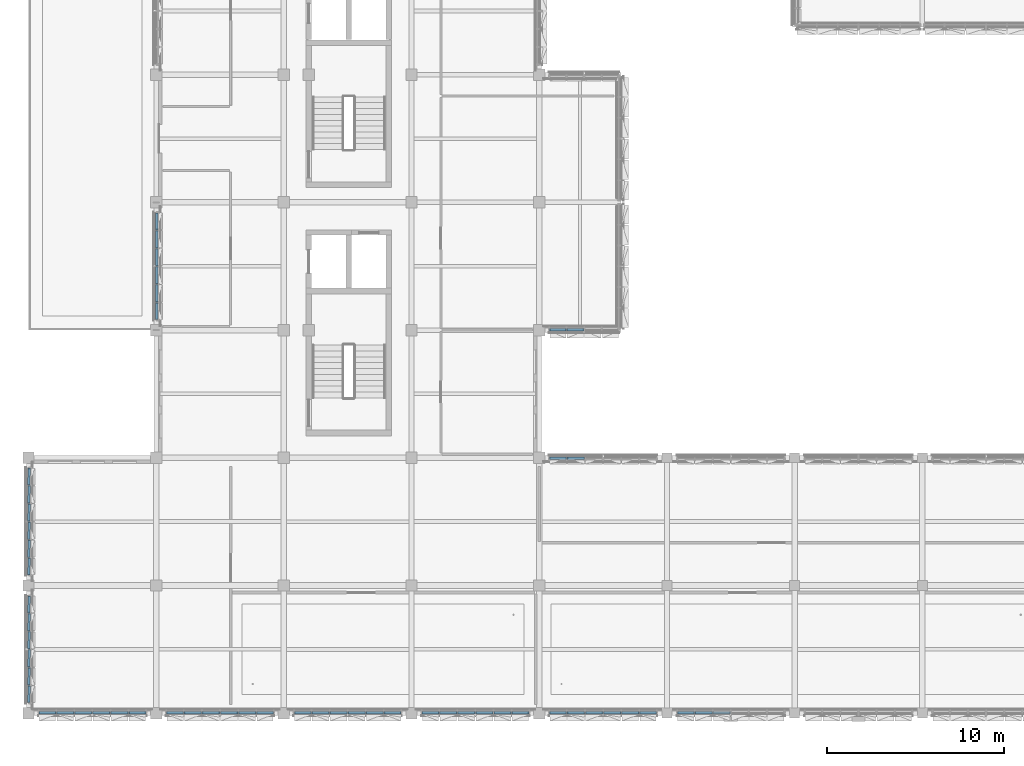
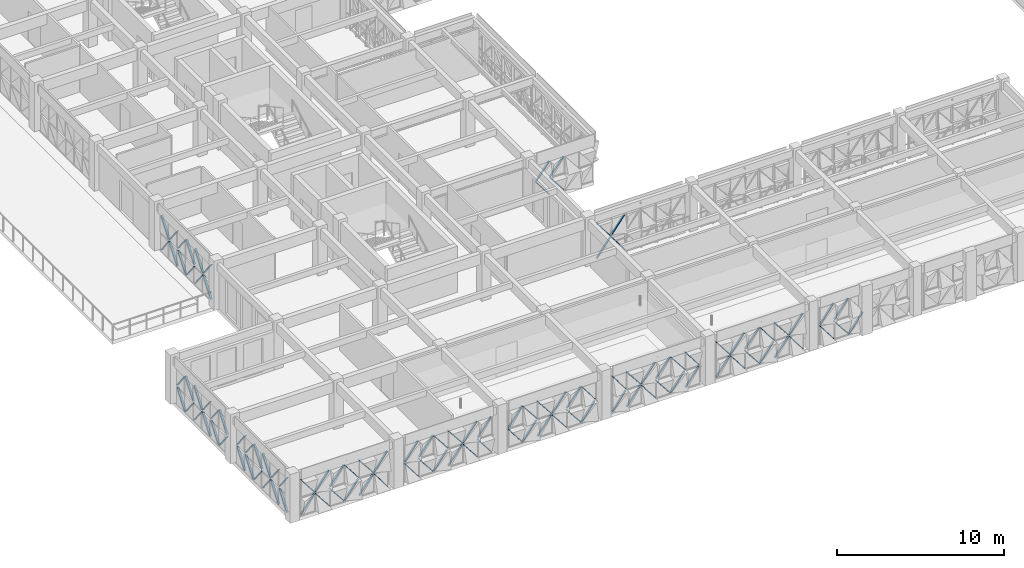
# One storey, part 50 of 85: 109 discrete accessories.
"""IFC4 building model written with IfcOpenShell, lengths in metres."""

from ifc_helpers import new_model, si_unit, direction, frame, origin, origin_2d, place, context, subcontext, project, spatial, rectangle, extrude, material, type_object, element, save


model = new_model("IFC4")

# Units and contexts
model_context = context("Model", 3, precision=1e-05, world=origin(), true_north=direction((0.0, 1.0)))
body_context = subcontext(model_context, "Body", "Model", "MODEL_VIEW")
ifc_project = project(units=[si_unit("LENGTHUNIT", "METRE"), si_unit("AREAUNIT", "SQUARE_METRE"), si_unit("VOLUMEUNIT", "CUBIC_METRE"), si_unit("PLANEANGLEUNIT", "RADIAN"), si_unit("MASSUNIT", "GRAM", prefix="KILO")], contexts=[model_context])

# Site, building, storey
site_placement = place(None, origin())
site = spatial("IfcSite", under=ifc_project, at=site_placement, CompositionType="ELEMENT")
building_placement = place(site_placement, origin())
building = spatial("IfcBuilding", under=site, at=building_placement, Name="Alvorim Cloister Faculty of Sciences", CompositionType="ELEMENT")
storey_placement = place(building_placement, frame((0.0, 0.0, 8.550048828125)))
storey = spatial("IfcBuildingStorey", under=building, at=storey_placement, Name="L02", CompositionType="ELEMENT", Elevation=8.550048828125)

# Discrete accessories
ifc_material = material(Name="Aluminium Alloy 6063-T6", Category="aluminium")
discrete_accessory_type = type_object("IfcDiscreteAccessoryType", Name="ACC-DIAG-BAR", PredefinedType="BRACKET", material=ifc_material)
for number, where, z_axis, x_axis, name in (
    (1, (7.222412109375, 22.205078125, 0.139892578125), (0.006561428426, 0.604611624251, 0.796493397008), (-0.999941118963, 0.010851663811, 0.0), "Diagonal Cassette Glazing Bracket ACC-00487"),
    (2, (7.222412109375, 22.205078125, 2.7099609375), (0.006561428426, 0.604611624251, -0.796493397008), (-0.999941118963, 0.010851663811, 0.0), "Diagonal Cassette Glazing Bracket ACC-00488"),
):
    element("IfcDiscreteAccessory", number, at=place(storey_placement, frame(where, z_axis=z_axis, x_axis=x_axis)), inside=storey, type_object=discrete_accessory_type, Name=name, PredefinedType="BRACKET", context=body_context, shape_type="SweptSolid", body=[
        extrude(rectangle(XDim=0.139892578125, YDim=0.044921875, at=origin_2d()), origin(), (0.0, 0.0, 1.0), 1.525634765625),
    ])
for number, where, z_axis, x_axis, name in (
    (3, (7.222412109375, 23.1923828125, 1.35498046875), (0.006476523147, 0.617955086572, -0.786186724404), (-0.999945083323, 0.010479997039, 0.0), "Diagonal Cassette Glazing Bracket ACC-00489"),
    (4, (7.222412109375, 23.1923828125, 1.494873046875), (0.006476523147, 0.617955086572, 0.786186724404), (-0.999945083323, 0.010479997039, 0.0), "Diagonal Cassette Glazing Bracket ACC-00490"),
    (5, (7.222412109375, 24.21240234375, 1.35498046875), (0.006476523147, 0.617955086572, -0.786186724404), (-0.999945083323, 0.010479997039, 0.0), "Diagonal Cassette Glazing Bracket ACC-00491"),
    (6, (7.222412109375, 24.21240234375, 1.494873046875), (0.006476523147, 0.617955086572, 0.786186724404), (-0.999945083323, 0.010479997039, 0.0), "Diagonal Cassette Glazing Bracket ACC-00492"),
    (7, (7.222412109375, 25.232421875, 0.139892578125), (0.006476523147, 0.617955086572, 0.786186724404), (-0.999945083323, 0.010479997039, 0.0), "Diagonal Cassette Glazing Bracket ACC-00493"),
    (8, (7.222412109375, 25.232421875, 2.7099609375), (0.006476523147, 0.617955086572, -0.786186724404), (-0.999945083323, 0.010479997039, 0.0), "Diagonal Cassette Glazing Bracket ACC-00494"),
    (9, (7.222412109375, 26.25244140625, 0.139892578125), (0.006476523147, 0.617955086572, 0.786186724404), (-0.999945083323, 0.010479997039, 0.0), "Diagonal Cassette Glazing Bracket ACC-00495"),
    (10, (7.222412109375, 26.25244140625, 2.7099609375), (0.006476523147, 0.617955086572, -0.786186724404), (-0.999945083323, 0.010479997039, 0.0), "Diagonal Cassette Glazing Bracket ACC-00496"),
):
    element("IfcDiscreteAccessory", number, at=place(storey_placement, frame(where, z_axis=z_axis, x_axis=x_axis)), inside=storey, type_object=discrete_accessory_type, Name=name, PredefinedType="BRACKET", context=body_context, shape_type="SweptSolid", body=[
        extrude(rectangle(XDim=0.139892578125, YDim=0.044921875, at=origin_2d()), origin(), (0.0, 0.0, 1.0), 1.545654296875),
    ])
for number, where, z_axis, x_axis, name in (
    (11, (7.222412109375, 27.2724609375, 1.35498046875), (0.006560793558, 0.604713142785, -0.796416330151), (-0.999941150118, 0.010848792579, 0.0), "Diagonal Cassette Glazing Bracket ACC-00497"),
    (12, (7.222412109375, 27.2724609375, 1.494873046875), (0.006560793558, 0.604713142785, 0.796416330151), (-0.999941150118, 0.010848792579, 0.0), "Diagonal Cassette Glazing Bracket ACC-00498"),
):
    element("IfcDiscreteAccessory", number, at=place(storey_placement, frame(where, z_axis=z_axis, x_axis=x_axis)), inside=storey, type_object=discrete_accessory_type, Name=name, PredefinedType="BRACKET", context=body_context, shape_type="SweptSolid", body=[
        extrude(rectangle(XDim=0.139892578125, YDim=0.044921875, at=origin_2d()), origin(), (0.0, 0.0, 1.0), 1.525634765625),
    ])
for number, where, z_axis, x_axis, name in (
    (13, (29.405029296875, 21.62255859375, 1.282958984375), (0.617524934404, 0.006887519671, -0.78652114877), (-0.011152733966, 0.999937806329, 0.0), "Diagonal Cassette Glazing Bracket ACC-00766"),
    (14, (29.405029296875, 21.62255859375, 1.4228515625), (0.617524934404, 0.006887519671, 0.78652114877), (-0.011152733966, 0.999937806329, 0.0), "Diagonal Cassette Glazing Bracket ACC-00767"),
):
    element("IfcDiscreteAccessory", number, at=place(storey_placement, frame(where, z_axis=z_axis, x_axis=x_axis)), inside=storey, type_object=discrete_accessory_type, Name=name, PredefinedType="BRACKET", context=body_context, shape_type="SweptSolid", body=[
        extrude(rectangle(XDim=0.139892578125, YDim=0.044921875, at=origin_2d()), origin(), (0.0, 0.0, 1.0), 1.453369140625),
    ])
for number, where, z_axis, x_axis, name in (
    (15, (30.367431640625, 21.62255859375, 1.282958984375), (0.631164140853, 0.006792055059, -0.775619555768), (-0.010760531826, 0.999942103801, 0.0), "Diagonal Cassette Glazing Bracket ACC-00768"),
    (16, (30.367431640625, 21.62255859375, 1.4228515625), (0.631164140853, 0.006792055059, 0.775619555768), (-0.010760531826, 0.999942103801, 0.0), "Diagonal Cassette Glazing Bracket ACC-00769"),
):
    element("IfcDiscreteAccessory", number, at=place(storey_placement, frame(where, z_axis=z_axis, x_axis=x_axis)), inside=storey, type_object=discrete_accessory_type, Name=name, PredefinedType="BRACKET", context=body_context, shape_type="SweptSolid", body=[
        extrude(rectangle(XDim=0.139892578125, YDim=0.044921875, at=origin_2d()), origin(), (0.0, 0.0, 1.0), 1.4736328125),
    ])
for number, where, z_axis, x_axis, name in (
    (17, (29.405029296875, 14.37744140625, 0.139892578125), (0.604611624251, -0.006561428426, 0.796493397008), (0.010851663811, 0.999941118963, 0.0), "Diagonal Cassette Glazing Bracket ACC-00775"),
    (18, (29.405029296875, 14.37744140625, 2.7099609375), (0.604611624251, -0.006561428426, -0.796493397008), (0.010851663811, 0.999941118963, 0.0), "Diagonal Cassette Glazing Bracket ACC-00776"),
):
    element("IfcDiscreteAccessory", number, at=place(storey_placement, frame(where, z_axis=z_axis, x_axis=x_axis)), inside=storey, type_object=discrete_accessory_type, Name=name, PredefinedType="BRACKET", context=body_context, shape_type="SweptSolid", body=[
        extrude(rectangle(XDim=0.139892578125, YDim=0.044921875, at=origin_2d()), origin(), (0.0, 0.0, 1.0), 1.525634765625),
    ])
for number, where, z_axis, x_axis, name in (
    (19, (30.392578125, 14.37744140625, 1.35498046875), (0.61785742976, -0.006477155362, -0.786263469168), (0.010482676365, 0.999945055239, 0.0), "Diagonal Cassette Glazing Bracket ACC-00777"),
    (20, (30.392578125, 14.37744140625, 1.494873046875), (0.61785742976, -0.006477155362, 0.786263469168), (0.010482676365, 0.999945055239, 0.0), "Diagonal Cassette Glazing Bracket ACC-00778"),
):
    element("IfcDiscreteAccessory", number, at=place(storey_placement, frame(where, z_axis=z_axis, x_axis=x_axis)), inside=storey, type_object=discrete_accessory_type, Name=name, PredefinedType="BRACKET", context=body_context, shape_type="SweptSolid", body=[
        extrude(rectangle(XDim=0.139892578125, YDim=0.044921875, at=origin_2d()), origin(), (0.0, 0.0, 1.0), 1.54541015625),
    ])
for number, where, z_axis, x_axis, name in (
    (21, (36.60498046875, 0.0224609375, 1.35498046875), (0.604713142785, 0.006560793558, -0.796416330151), (-0.010848792579, 0.999941150118, 0.0), "Diagonal Cassette Glazing Bracket ACC-00866"),
    (22, (36.60498046875, 0.0224609375, 1.494873046875), (0.604713142785, 0.006560793558, 0.796416330151), (-0.010848792579, 0.999941150118, 0.0), "Diagonal Cassette Glazing Bracket ACC-00867"),
):
    element("IfcDiscreteAccessory", number, at=place(storey_placement, frame(where, z_axis=z_axis, x_axis=x_axis)), inside=storey, type_object=discrete_accessory_type, Name=name, PredefinedType="BRACKET", context=body_context, shape_type="SweptSolid", body=[
        extrude(rectangle(XDim=0.139892578125, YDim=0.044921875, at=origin_2d()), origin(), (0.0, 0.0, 1.0), 1.525634765625),
    ])
for number, where, z_axis, x_axis, name in (
    (23, (37.592529296875, 0.0224609375, 1.35498046875), (0.617955086572, 0.006476523147, -0.786186724404), (-0.010479997039, 0.999945083323, 0.0), "Diagonal Cassette Glazing Bracket ACC-00868"),
    (24, (37.592529296875, 0.0224609375, 1.494873046875), (0.617955086572, 0.006476523147, 0.786186724404), (-0.010479997039, 0.999945083323, 0.0), "Diagonal Cassette Glazing Bracket ACC-00869"),
):
    element("IfcDiscreteAccessory", number, at=place(storey_placement, frame(where, z_axis=z_axis, x_axis=x_axis)), inside=storey, type_object=discrete_accessory_type, Name=name, PredefinedType="BRACKET", context=body_context, shape_type="SweptSolid", body=[
        extrude(rectangle(XDim=0.139892578125, YDim=0.044921875, at=origin_2d()), origin(), (0.0, 0.0, 1.0), 1.545654296875),
    ])
discrete_accessory_placement = place(storey_placement, frame((38.612548828125, 0.0224609375, 0.139892578125), z_axis=(0.61785742976, 0.006477155362, 0.786263469168), x_axis=(-0.010482676365, 0.999945055239, 0.0)))
element("IfcDiscreteAccessory", 25, at=discrete_accessory_placement, inside=storey, type_object=discrete_accessory_type, Name="Diagonal Cassette Glazing Bracket ACC-00870", PredefinedType="BRACKET", context=body_context, shape_type="SweptSolid", body=[
    extrude(rectangle(XDim=0.139892578125, YDim=0.044921875, at=origin_2d()), origin(), (0.0, 0.0, 1.0), 1.54541015625),
])
for number, where, z_axis, x_axis, name in (
    (26, (29.405029296875, 0.0224609375, 0.139892578125), (0.604611624251, 0.006561428426, 0.796493397008), (-0.010851663811, 0.999941118963, 0.0), "Diagonal Cassette Glazing Bracket ACC-00879"),
    (27, (29.405029296875, 0.0224609375, 2.7099609375), (0.604611624251, 0.006561428426, -0.796493397008), (-0.010851663811, 0.999941118963, 0.0), "Diagonal Cassette Glazing Bracket ACC-00880"),
):
    element("IfcDiscreteAccessory", number, at=place(storey_placement, frame(where, z_axis=z_axis, x_axis=x_axis)), inside=storey, type_object=discrete_accessory_type, Name=name, PredefinedType="BRACKET", context=body_context, shape_type="SweptSolid", body=[
        extrude(rectangle(XDim=0.139892578125, YDim=0.044921875, at=origin_2d()), origin(), (0.0, 0.0, 1.0), 1.525634765625),
    ])
for number, where, z_axis, x_axis, name in (
    (28, (30.392578125, 0.0224609375, 1.35498046875), (0.61785742976, 0.006477155362, -0.786263469168), (-0.010482676365, 0.999945055239, 0.0), "Diagonal Cassette Glazing Bracket ACC-00881"),
    (29, (30.392578125, 0.0224609375, 1.494873046875), (0.61785742976, 0.006477155362, 0.786263469168), (-0.010482676365, 0.999945055239, 0.0), "Diagonal Cassette Glazing Bracket ACC-00882"),
    (30, (31.41259765625, 0.0224609375, 1.35498046875), (0.61785742976, 0.006477155362, -0.786263469168), (-0.010482676365, 0.999945055239, 0.0), "Diagonal Cassette Glazing Bracket ACC-00883"),
    (31, (31.41259765625, 0.0224609375, 1.494873046875), (0.61785742976, 0.006477155362, 0.786263469168), (-0.010482676365, 0.999945055239, 0.0), "Diagonal Cassette Glazing Bracket ACC-00884"),
    (32, (32.4326171875, 0.0224609375, 0.139892578125), (0.61785742976, 0.006477155362, 0.786263469168), (-0.010482676365, 0.999945055239, 0.0), "Diagonal Cassette Glazing Bracket ACC-00885"),
    (33, (32.4326171875, 0.0224609375, 2.7099609375), (0.61785742976, 0.006477155362, -0.786263469168), (-0.010482676365, 0.999945055239, 0.0), "Diagonal Cassette Glazing Bracket ACC-00886"),
):
    element("IfcDiscreteAccessory", number, at=place(storey_placement, frame(where, z_axis=z_axis, x_axis=x_axis)), inside=storey, type_object=discrete_accessory_type, Name=name, PredefinedType="BRACKET", context=body_context, shape_type="SweptSolid", body=[
        extrude(rectangle(XDim=0.139892578125, YDim=0.044921875, at=origin_2d()), origin(), (0.0, 0.0, 1.0), 1.54541015625),
    ])
for number, where, z_axis, x_axis, name in (
    (34, (33.452392578125, 0.0224609375, 0.139892578125), (0.617955086572, 0.006476523147, 0.786186724404), (-0.010479997039, 0.999945083323, 0.0), "Diagonal Cassette Glazing Bracket ACC-00887"),
    (35, (33.452392578125, 0.0224609375, 2.7099609375), (0.617955086572, 0.006476523147, -0.786186724404), (-0.010479997039, 0.999945083323, 0.0), "Diagonal Cassette Glazing Bracket ACC-00888"),
):
    element("IfcDiscreteAccessory", number, at=place(storey_placement, frame(where, z_axis=z_axis, x_axis=x_axis)), inside=storey, type_object=discrete_accessory_type, Name=name, PredefinedType="BRACKET", context=body_context, shape_type="SweptSolid", body=[
        extrude(rectangle(XDim=0.139892578125, YDim=0.044921875, at=origin_2d()), origin(), (0.0, 0.0, 1.0), 1.545654296875),
    ])
for number, where, z_axis, x_axis, name in (
    (36, (34.472412109375, 0.0224609375, 1.35498046875), (0.604713142785, 0.006560793558, -0.796416330151), (-0.010848792579, 0.999941150118, 0.0), "Diagonal Cassette Glazing Bracket ACC-00889"),
    (37, (34.472412109375, 0.0224609375, 1.494873046875), (0.604713142785, 0.006560793558, 0.796416330151), (-0.010848792579, 0.999941150118, 0.0), "Diagonal Cassette Glazing Bracket ACC-00890"),
    (38, (22.205078125, 0.0224609375, 0.139892578125), (0.604611624251, 0.006561428426, 0.796493397008), (-0.010851663811, 0.999941118963, 0.0), "Diagonal Cassette Glazing Bracket ACC-00892"),
    (39, (22.205078125, 0.0224609375, 2.7099609375), (0.604611624251, 0.006561428426, -0.796493397008), (-0.010851663811, 0.999941118963, 0.0), "Diagonal Cassette Glazing Bracket ACC-00893"),
):
    element("IfcDiscreteAccessory", number, at=place(storey_placement, frame(where, z_axis=z_axis, x_axis=x_axis)), inside=storey, type_object=discrete_accessory_type, Name=name, PredefinedType="BRACKET", context=body_context, shape_type="SweptSolid", body=[
        extrude(rectangle(XDim=0.139892578125, YDim=0.044921875, at=origin_2d()), origin(), (0.0, 0.0, 1.0), 1.525634765625),
    ])
for number, where, z_axis, x_axis, name in (
    (40, (23.1923828125, 0.0224609375, 0.139892578125), (0.617955086572, 0.006476523147, 0.786186724404), (-0.010479997039, 0.999945083323, 0.0), "Diagonal Cassette Glazing Bracket ACC-00894"),
    (41, (23.1923828125, 0.0224609375, 2.7099609375), (0.617955086572, 0.006476523147, -0.786186724404), (-0.010479997039, 0.999945083323, 0.0), "Diagonal Cassette Glazing Bracket ACC-00895"),
    (42, (24.21240234375, 0.0224609375, 1.35498046875), (0.617955086572, 0.006476523147, -0.786186724404), (-0.010479997039, 0.999945083323, 0.0), "Diagonal Cassette Glazing Bracket ACC-00896"),
    (43, (24.21240234375, 0.0224609375, 1.494873046875), (0.617955086572, 0.006476523147, 0.786186724404), (-0.010479997039, 0.999945083323, 0.0), "Diagonal Cassette Glazing Bracket ACC-00897"),
    (44, (25.232421875, 0.0224609375, 1.35498046875), (0.617955086572, 0.006476523147, -0.786186724404), (-0.010479997039, 0.999945083323, 0.0), "Diagonal Cassette Glazing Bracket ACC-00898"),
    (45, (25.232421875, 0.0224609375, 1.494873046875), (0.617955086572, 0.006476523147, 0.786186724404), (-0.010479997039, 0.999945083323, 0.0), "Diagonal Cassette Glazing Bracket ACC-00899"),
    (46, (26.25244140625, 0.0224609375, 0.139892578125), (0.617955086572, 0.006476523147, 0.786186724404), (-0.010479997039, 0.999945083323, 0.0), "Diagonal Cassette Glazing Bracket ACC-00900"),
    (47, (26.25244140625, 0.0224609375, 2.7099609375), (0.617955086572, 0.006476523147, -0.786186724404), (-0.010479997039, 0.999945083323, 0.0), "Diagonal Cassette Glazing Bracket ACC-00901"),
):
    element("IfcDiscreteAccessory", number, at=place(storey_placement, frame(where, z_axis=z_axis, x_axis=x_axis)), inside=storey, type_object=discrete_accessory_type, Name=name, PredefinedType="BRACKET", context=body_context, shape_type="SweptSolid", body=[
        extrude(rectangle(XDim=0.139892578125, YDim=0.044921875, at=origin_2d()), origin(), (0.0, 0.0, 1.0), 1.545654296875),
    ])
for number, where, z_axis, x_axis, name in (
    (48, (27.2724609375, 0.0224609375, 0.139892578125), (0.604713142785, 0.006560793558, 0.796416330151), (-0.010848792579, 0.999941150118, 0.0), "Diagonal Cassette Glazing Bracket ACC-00902"),
    (49, (27.2724609375, 0.0224609375, 2.7099609375), (0.604713142785, 0.006560793558, -0.796416330151), (-0.010848792579, 0.999941150118, 0.0), "Diagonal Cassette Glazing Bracket ACC-00903"),
    (50, (15.0048828125, 0.0224609375, 1.35498046875), (0.604713142785, 0.006560793558, -0.796416330151), (-0.010848792579, 0.999941150118, 0.0), "Diagonal Cassette Glazing Bracket ACC-00905"),
    (51, (15.0048828125, 0.0224609375, 1.494873046875), (0.604713142785, 0.006560793558, 0.796416330151), (-0.010848792579, 0.999941150118, 0.0), "Diagonal Cassette Glazing Bracket ACC-00906"),
):
    element("IfcDiscreteAccessory", number, at=place(storey_placement, frame(where, z_axis=z_axis, x_axis=x_axis)), inside=storey, type_object=discrete_accessory_type, Name=name, PredefinedType="BRACKET", context=body_context, shape_type="SweptSolid", body=[
        extrude(rectangle(XDim=0.139892578125, YDim=0.044921875, at=origin_2d()), origin(), (0.0, 0.0, 1.0), 1.525634765625),
    ])
for number, where, z_axis, x_axis, name in (
    (52, (15.992431640625, 0.0224609375, 0.139892578125), (0.617955086572, 0.006476523147, 0.786186724404), (-0.010479997039, 0.999945083323, 0.0), "Diagonal Cassette Glazing Bracket ACC-00907"),
    (53, (15.992431640625, 0.0224609375, 2.7099609375), (0.617955086572, 0.006476523147, -0.786186724404), (-0.010479997039, 0.999945083323, 0.0), "Diagonal Cassette Glazing Bracket ACC-00908"),
    (54, (17.012451171875, 0.0224609375, 0.139892578125), (0.617955086572, 0.006476523147, 0.786186724404), (-0.010479997039, 0.999945083323, 0.0), "Diagonal Cassette Glazing Bracket ACC-00909"),
    (55, (17.012451171875, 0.0224609375, 2.7099609375), (0.617955086572, 0.006476523147, -0.786186724404), (-0.010479997039, 0.999945083323, 0.0), "Diagonal Cassette Glazing Bracket ACC-00910"),
    (56, (18.032470703125, 0.0224609375, 1.35498046875), (0.617955086572, 0.006476523147, -0.786186724404), (-0.010479997039, 0.999945083323, 0.0), "Diagonal Cassette Glazing Bracket ACC-00911"),
    (57, (18.032470703125, 0.0224609375, 1.494873046875), (0.617955086572, 0.006476523147, 0.786186724404), (-0.010479997039, 0.999945083323, 0.0), "Diagonal Cassette Glazing Bracket ACC-00912"),
    (58, (19.052490234375, 0.0224609375, 1.35498046875), (0.617955086572, 0.006476523147, -0.786186724404), (-0.010479997039, 0.999945083323, 0.0), "Diagonal Cassette Glazing Bracket ACC-00913"),
    (59, (19.052490234375, 0.0224609375, 1.494873046875), (0.617955086572, 0.006476523147, 0.786186724404), (-0.010479997039, 0.999945083323, 0.0), "Diagonal Cassette Glazing Bracket ACC-00914"),
):
    element("IfcDiscreteAccessory", number, at=place(storey_placement, frame(where, z_axis=z_axis, x_axis=x_axis)), inside=storey, type_object=discrete_accessory_type, Name=name, PredefinedType="BRACKET", context=body_context, shape_type="SweptSolid", body=[
        extrude(rectangle(XDim=0.139892578125, YDim=0.044921875, at=origin_2d()), origin(), (0.0, 0.0, 1.0), 1.545654296875),
    ])
for number, where, z_axis, x_axis, name in (
    (60, (20.072509765625, 0.0224609375, 0.139892578125), (0.604713142785, 0.006560793558, 0.796416330151), (-0.010848792579, 0.999941150118, 0.0), "Diagonal Cassette Glazing Bracket ACC-00915"),
    (61, (20.072509765625, 0.0224609375, 2.7099609375), (0.604713142785, 0.006560793558, -0.796416330151), (-0.010848792579, 0.999941150118, 0.0), "Diagonal Cassette Glazing Bracket ACC-00916"),
    (62, (7.804931640625, 0.0224609375, 1.35498046875), (0.604713142785, 0.006560793558, -0.796416330151), (-0.010848792579, 0.999941150118, 0.0), "Diagonal Cassette Glazing Bracket ACC-00918"),
    (63, (7.804931640625, 0.0224609375, 1.494873046875), (0.604713142785, 0.006560793558, 0.796416330151), (-0.010848792579, 0.999941150118, 0.0), "Diagonal Cassette Glazing Bracket ACC-00919"),
):
    element("IfcDiscreteAccessory", number, at=place(storey_placement, frame(where, z_axis=z_axis, x_axis=x_axis)), inside=storey, type_object=discrete_accessory_type, Name=name, PredefinedType="BRACKET", context=body_context, shape_type="SweptSolid", body=[
        extrude(rectangle(XDim=0.139892578125, YDim=0.044921875, at=origin_2d()), origin(), (0.0, 0.0, 1.0), 1.525634765625),
    ])
for number, where, z_axis, x_axis, name in (
    (64, (8.79248046875, 0.0224609375, 1.35498046875), (0.617955086572, 0.006476523147, -0.786186724404), (-0.010479997039, 0.999945083323, 0.0), "Diagonal Cassette Glazing Bracket ACC-00920"),
    (65, (8.79248046875, 0.0224609375, 1.494873046875), (0.617955086572, 0.006476523147, 0.786186724404), (-0.010479997039, 0.999945083323, 0.0), "Diagonal Cassette Glazing Bracket ACC-00921"),
    (66, (9.8125, 0.0224609375, 0.139892578125), (0.617955086572, 0.006476523147, 0.786186724404), (-0.010479997039, 0.999945083323, 0.0), "Diagonal Cassette Glazing Bracket ACC-00922"),
    (67, (9.8125, 0.0224609375, 2.7099609375), (0.617955086572, 0.006476523147, -0.786186724404), (-0.010479997039, 0.999945083323, 0.0), "Diagonal Cassette Glazing Bracket ACC-00923"),
    (68, (10.83251953125, 0.0224609375, 0.139892578125), (0.617955086572, 0.006476523147, 0.786186724404), (-0.010479997039, 0.999945083323, 0.0), "Diagonal Cassette Glazing Bracket ACC-00924"),
    (69, (10.83251953125, 0.0224609375, 2.7099609375), (0.617955086572, 0.006476523147, -0.786186724404), (-0.010479997039, 0.999945083323, 0.0), "Diagonal Cassette Glazing Bracket ACC-00925"),
    (70, (11.8525390625, 0.0224609375, 1.35498046875), (0.617955086572, 0.006476523147, -0.786186724404), (-0.010479997039, 0.999945083323, 0.0), "Diagonal Cassette Glazing Bracket ACC-00926"),
    (71, (11.8525390625, 0.0224609375, 1.494873046875), (0.617955086572, 0.006476523147, 0.786186724404), (-0.010479997039, 0.999945083323, 0.0), "Diagonal Cassette Glazing Bracket ACC-00927"),
):
    element("IfcDiscreteAccessory", number, at=place(storey_placement, frame(where, z_axis=z_axis, x_axis=x_axis)), inside=storey, type_object=discrete_accessory_type, Name=name, PredefinedType="BRACKET", context=body_context, shape_type="SweptSolid", body=[
        extrude(rectangle(XDim=0.139892578125, YDim=0.044921875, at=origin_2d()), origin(), (0.0, 0.0, 1.0), 1.545654296875),
    ])
for number, where, z_axis, x_axis, name in (
    (72, (12.87255859375, 0.0224609375, 1.35498046875), (0.604611624251, 0.006561428426, -0.796493397008), (-0.010851663811, 0.999941118963, 0.0), "Diagonal Cassette Glazing Bracket ACC-00928"),
    (73, (12.87255859375, 0.0224609375, 1.494873046875), (0.604611624251, 0.006561428426, 0.796493397008), (-0.010851663811, 0.999941118963, 0.0), "Diagonal Cassette Glazing Bracket ACC-00929"),
    (74, (0.60498046875, 0.0224609375, 0.139892578125), (0.604713142785, 0.006560793558, 0.796416330151), (-0.010848792579, 0.999941150118, 0.0), "Diagonal Cassette Glazing Bracket ACC-00931"),
    (75, (0.60498046875, 0.0224609375, 2.7099609375), (0.604713142785, 0.006560793558, -0.796416330151), (-0.010848792579, 0.999941150118, 0.0), "Diagonal Cassette Glazing Bracket ACC-00932"),
):
    element("IfcDiscreteAccessory", number, at=place(storey_placement, frame(where, z_axis=z_axis, x_axis=x_axis)), inside=storey, type_object=discrete_accessory_type, Name=name, PredefinedType="BRACKET", context=body_context, shape_type="SweptSolid", body=[
        extrude(rectangle(XDim=0.139892578125, YDim=0.044921875, at=origin_2d()), origin(), (0.0, 0.0, 1.0), 1.525634765625),
    ])
for number, where, z_axis, x_axis, name in (
    (76, (1.592529296875, 0.0224609375, 1.35498046875), (0.617955086572, 0.006476523147, -0.786186724404), (-0.010479997039, 0.999945083323, 0.0), "Diagonal Cassette Glazing Bracket ACC-00933"),
    (77, (1.592529296875, 0.0224609375, 1.494873046875), (0.617955086572, 0.006476523147, 0.786186724404), (-0.010479997039, 0.999945083323, 0.0), "Diagonal Cassette Glazing Bracket ACC-00934"),
):
    element("IfcDiscreteAccessory", number, at=place(storey_placement, frame(where, z_axis=z_axis, x_axis=x_axis)), inside=storey, type_object=discrete_accessory_type, Name=name, PredefinedType="BRACKET", context=body_context, shape_type="SweptSolid", body=[
        extrude(rectangle(XDim=0.139892578125, YDim=0.044921875, at=origin_2d()), origin(), (0.0, 0.0, 1.0), 1.545654296875),
    ])
for number, where, z_axis, x_axis, name in (
    (78, (2.612548828125, 0.0224609375, 1.35498046875), (0.61785742976, 0.006477155362, -0.786263469168), (-0.010482676365, 0.999945055239, 0.0), "Diagonal Cassette Glazing Bracket ACC-00935"),
    (79, (2.612548828125, 0.0224609375, 1.494873046875), (0.61785742976, 0.006477155362, 0.786263469168), (-0.010482676365, 0.999945055239, 0.0), "Diagonal Cassette Glazing Bracket ACC-00936"),
    (80, (3.632568359375, 0.0224609375, 0.139892578125), (0.61785742976, 0.006477155362, 0.786263469168), (-0.010482676365, 0.999945055239, 0.0), "Diagonal Cassette Glazing Bracket ACC-00937"),
    (81, (3.632568359375, 0.0224609375, 2.7099609375), (0.61785742976, 0.006477155362, -0.786263469168), (-0.010482676365, 0.999945055239, 0.0), "Diagonal Cassette Glazing Bracket ACC-00938"),
    (82, (4.652587890625, 0.0224609375, 0.139892578125), (0.61785742976, 0.006477155362, 0.786263469168), (-0.010482676365, 0.999945055239, 0.0), "Diagonal Cassette Glazing Bracket ACC-00939"),
    (83, (4.652587890625, 0.0224609375, 2.7099609375), (0.61785742976, 0.006477155362, -0.786263469168), (-0.010482676365, 0.999945055239, 0.0), "Diagonal Cassette Glazing Bracket ACC-00940"),
):
    element("IfcDiscreteAccessory", number, at=place(storey_placement, frame(where, z_axis=z_axis, x_axis=x_axis)), inside=storey, type_object=discrete_accessory_type, Name=name, PredefinedType="BRACKET", context=body_context, shape_type="SweptSolid", body=[
        extrude(rectangle(XDim=0.139892578125, YDim=0.044921875, at=origin_2d()), origin(), (0.0, 0.0, 1.0), 1.54541015625),
    ])
for number, where, z_axis, x_axis, name in (
    (84, (5.672607421875, 0.0224609375, 1.35498046875), (0.604611624251, 0.006561428426, -0.796493397008), (-0.010851663811, 0.999941118963, 0.0), "Diagonal Cassette Glazing Bracket ACC-00941"),
    (85, (5.672607421875, 0.0224609375, 1.494873046875), (0.604611624251, 0.006561428426, 0.796493397008), (-0.010851663811, 0.999941118963, 0.0), "Diagonal Cassette Glazing Bracket ACC-00942"),
    (86, (0.0224609375, 0.60498046875, 0.139892578125), (0.006560793558, 0.604713142785, 0.796416330151), (-0.999941150118, 0.010848792579, 0.0), "Diagonal Cassette Glazing Bracket ACC-00944"),
    (87, (0.0224609375, 0.60498046875, 2.7099609375), (0.006560793558, 0.604713142785, -0.796416330151), (-0.999941150118, 0.010848792579, 0.0), "Diagonal Cassette Glazing Bracket ACC-00945"),
):
    element("IfcDiscreteAccessory", number, at=place(storey_placement, frame(where, z_axis=z_axis, x_axis=x_axis)), inside=storey, type_object=discrete_accessory_type, Name=name, PredefinedType="BRACKET", context=body_context, shape_type="SweptSolid", body=[
        extrude(rectangle(XDim=0.139892578125, YDim=0.044921875, at=origin_2d()), origin(), (0.0, 0.0, 1.0), 1.525634765625),
    ])
for number, where, z_axis, x_axis, name in (
    (88, (0.0224609375, 1.592529296875, 0.139892578125), (0.006476523147, 0.617955086572, 0.786186724404), (-0.999945083323, 0.010479997039, 0.0), "Diagonal Cassette Glazing Bracket ACC-00946"),
    (89, (0.0224609375, 1.592529296875, 2.7099609375), (0.006476523147, 0.617955086572, -0.786186724404), (-0.999945083323, 0.010479997039, 0.0), "Diagonal Cassette Glazing Bracket ACC-00947"),
):
    element("IfcDiscreteAccessory", number, at=place(storey_placement, frame(where, z_axis=z_axis, x_axis=x_axis)), inside=storey, type_object=discrete_accessory_type, Name=name, PredefinedType="BRACKET", context=body_context, shape_type="SweptSolid", body=[
        extrude(rectangle(XDim=0.139892578125, YDim=0.044921875, at=origin_2d()), origin(), (0.0, 0.0, 1.0), 1.545654296875),
    ])
for number, where, z_axis, x_axis, name in (
    (90, (0.0224609375, 2.612548828125, 1.35498046875), (0.006477155362, 0.61785742976, -0.786263469168), (-0.999945055239, 0.010482676365, 0.0), "Diagonal Cassette Glazing Bracket ACC-00948"),
    (91, (0.0224609375, 2.612548828125, 1.494873046875), (0.006477155362, 0.61785742976, 0.786263469168), (-0.999945055239, 0.010482676365, 0.0), "Diagonal Cassette Glazing Bracket ACC-00949"),
    (92, (0.0224609375, 3.632568359375, 1.35498046875), (0.006477155362, 0.61785742976, -0.786263469168), (-0.999945055239, 0.010482676365, 0.0), "Diagonal Cassette Glazing Bracket ACC-00950"),
    (93, (0.0224609375, 3.632568359375, 1.494873046875), (0.006477155362, 0.61785742976, 0.786263469168), (-0.999945055239, 0.010482676365, 0.0), "Diagonal Cassette Glazing Bracket ACC-00951"),
    (94, (0.0224609375, 4.652587890625, 0.139892578125), (0.006477155362, 0.61785742976, 0.786263469168), (-0.999945055239, 0.010482676365, 0.0), "Diagonal Cassette Glazing Bracket ACC-00952"),
    (95, (0.0224609375, 4.652587890625, 2.7099609375), (0.006477155362, 0.61785742976, -0.786263469168), (-0.999945055239, 0.010482676365, 0.0), "Diagonal Cassette Glazing Bracket ACC-00953"),
):
    element("IfcDiscreteAccessory", number, at=place(storey_placement, frame(where, z_axis=z_axis, x_axis=x_axis)), inside=storey, type_object=discrete_accessory_type, Name=name, PredefinedType="BRACKET", context=body_context, shape_type="SweptSolid", body=[
        extrude(rectangle(XDim=0.139892578125, YDim=0.044921875, at=origin_2d()), origin(), (0.0, 0.0, 1.0), 1.54541015625),
    ])
for number, where, z_axis, x_axis, name in (
    (96, (0.0224609375, 5.672607421875, 0.139892578125), (0.006561428426, 0.604611624251, 0.796493397008), (-0.999941118963, 0.010851663811, 0.0), "Diagonal Cassette Glazing Bracket ACC-00954"),
    (97, (0.0224609375, 5.672607421875, 2.7099609375), (0.006561428426, 0.604611624251, -0.796493397008), (-0.999941118963, 0.010851663811, 0.0), "Diagonal Cassette Glazing Bracket ACC-00955"),
    (98, (0.0224609375, 7.804931640625, 1.35498046875), (0.006560793558, 0.604713142785, -0.796416330151), (-0.999941150118, 0.010848792579, 0.0), "Diagonal Cassette Glazing Bracket ACC-00957"),
    (99, (0.0224609375, 7.804931640625, 1.494873046875), (0.006560793558, 0.604713142785, 0.796416330151), (-0.999941150118, 0.010848792579, 0.0), "Diagonal Cassette Glazing Bracket ACC-00958"),
):
    element("IfcDiscreteAccessory", number, at=place(storey_placement, frame(where, z_axis=z_axis, x_axis=x_axis)), inside=storey, type_object=discrete_accessory_type, Name=name, PredefinedType="BRACKET", context=body_context, shape_type="SweptSolid", body=[
        extrude(rectangle(XDim=0.139892578125, YDim=0.044921875, at=origin_2d()), origin(), (0.0, 0.0, 1.0), 1.525634765625),
    ])
for number, where, z_axis, x_axis, name in (
    (100, (0.0224609375, 8.79248046875, 0.139892578125), (0.006476523147, 0.617955086572, 0.786186724404), (-0.999945083323, 0.010479997039, 0.0), "Diagonal Cassette Glazing Bracket ACC-00959"),
    (101, (0.0224609375, 8.79248046875, 2.7099609375), (0.006476523147, 0.617955086572, -0.786186724404), (-0.999945083323, 0.010479997039, 0.0), "Diagonal Cassette Glazing Bracket ACC-00960"),
    (102, (0.0224609375, 9.8125, 0.139892578125), (0.006476523147, 0.617955086572, 0.786186724404), (-0.999945083323, 0.010479997039, 0.0), "Diagonal Cassette Glazing Bracket ACC-00961"),
    (103, (0.0224609375, 9.8125, 2.7099609375), (0.006476523147, 0.617955086572, -0.786186724404), (-0.999945083323, 0.010479997039, 0.0), "Diagonal Cassette Glazing Bracket ACC-00962"),
    (104, (0.0224609375, 10.83251953125, 1.35498046875), (0.006476523147, 0.617955086572, -0.786186724404), (-0.999945083323, 0.010479997039, 0.0), "Diagonal Cassette Glazing Bracket ACC-00963"),
    (105, (0.0224609375, 10.83251953125, 1.494873046875), (0.006476523147, 0.617955086572, 0.786186724404), (-0.999945083323, 0.010479997039, 0.0), "Diagonal Cassette Glazing Bracket ACC-00964"),
    (106, (0.0224609375, 11.8525390625, 1.35498046875), (0.006476523147, 0.617955086572, -0.786186724404), (-0.999945083323, 0.010479997039, 0.0), "Diagonal Cassette Glazing Bracket ACC-00965"),
    (107, (0.0224609375, 11.8525390625, 1.494873046875), (0.006476523147, 0.617955086572, 0.786186724404), (-0.999945083323, 0.010479997039, 0.0), "Diagonal Cassette Glazing Bracket ACC-00966"),
):
    element("IfcDiscreteAccessory", number, at=place(storey_placement, frame(where, z_axis=z_axis, x_axis=x_axis)), inside=storey, type_object=discrete_accessory_type, Name=name, PredefinedType="BRACKET", context=body_context, shape_type="SweptSolid", body=[
        extrude(rectangle(XDim=0.139892578125, YDim=0.044921875, at=origin_2d()), origin(), (0.0, 0.0, 1.0), 1.545654296875),
    ])
for number, where, z_axis, x_axis, name in (
    (108, (0.0224609375, 12.87255859375, 0.139892578125), (0.006561428426, 0.604611624251, 0.796493397008), (-0.999941118963, 0.010851663811, 0.0), "Diagonal Cassette Glazing Bracket ACC-00967"),
    (109, (0.0224609375, 12.87255859375, 2.7099609375), (0.006561428426, 0.604611624251, -0.796493397008), (-0.999941118963, 0.010851663811, 0.0), "Diagonal Cassette Glazing Bracket ACC-00968"),
):
    element("IfcDiscreteAccessory", number, at=place(storey_placement, frame(where, z_axis=z_axis, x_axis=x_axis)), inside=storey, type_object=discrete_accessory_type, Name=name, PredefinedType="BRACKET", context=body_context, shape_type="SweptSolid", body=[
        extrude(rectangle(XDim=0.139892578125, YDim=0.044921875, at=origin_2d()), origin(), (0.0, 0.0, 1.0), 1.525634765625),
    ])

save(model, "model.ifc")
